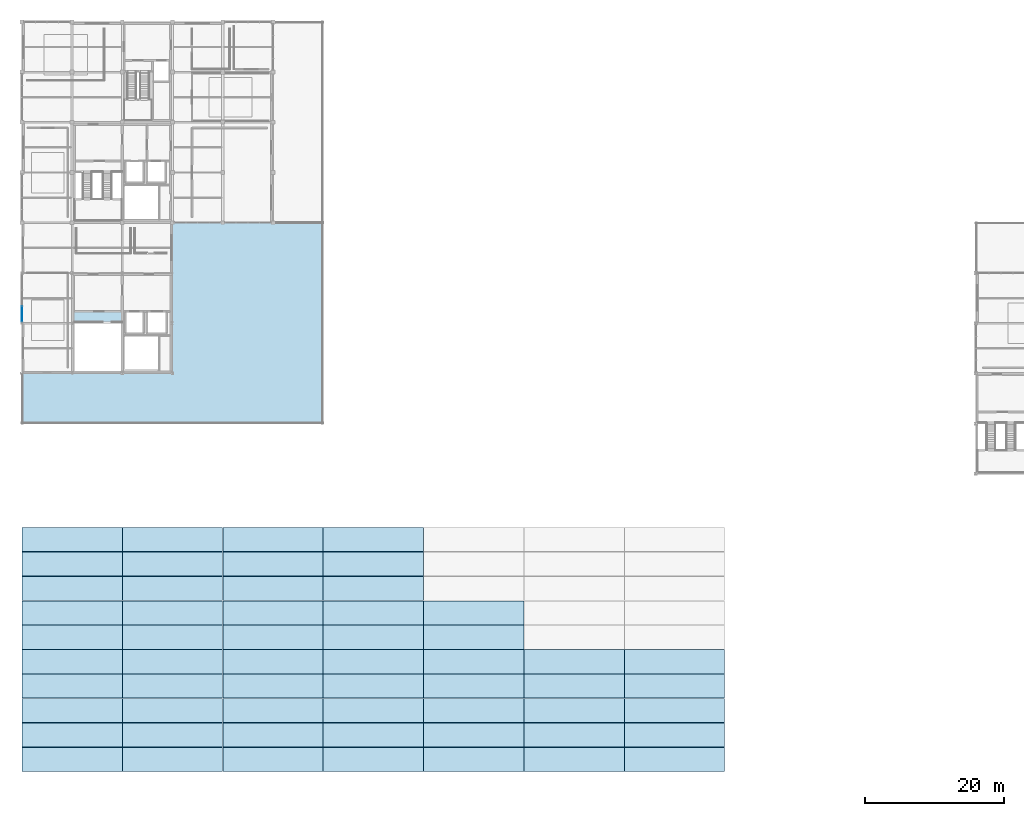
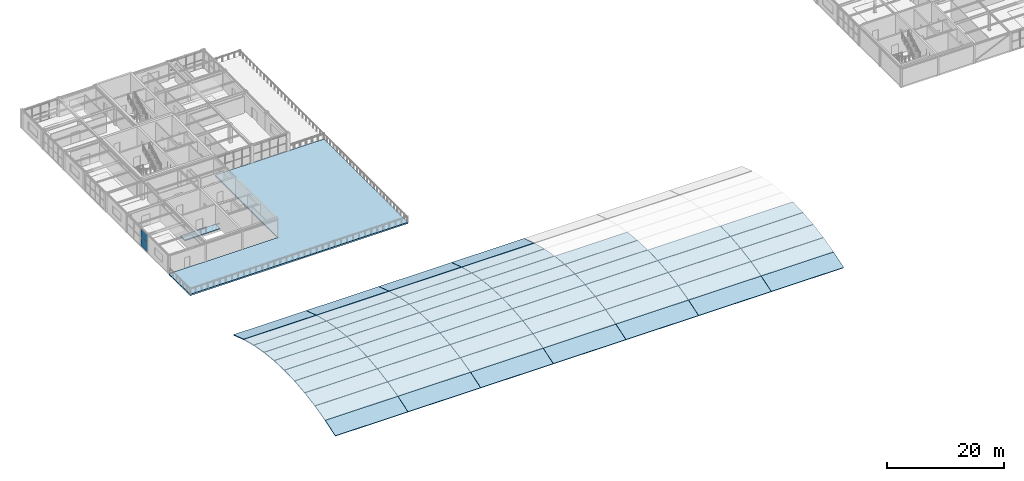
# One storey, part 14 of 30: 59 slabs, 2 plates, 1 element without a shape of its own.
"""IFC4 building model written with IfcOpenShell, lengths in metres."""

import ifcopenshell
import ifcopenshell.guid

model = None  # the IFC model being written
_history = None  # IfcOwnerHistory: only IFC2X3 demands one
_inside = {}  # id of a spatial element -> (the spatial element, [elements in it])
_under = {}  # id of a project, library or spatial element -> (it, [spatial elements below it])
_declared = {}  # id of a project -> (the project, [libraries it declares])
_typed = {}  # id of a type object -> (the type object, [elements of that type])
_made_of = {}  # id of a material, layer set ... -> (it, [elements and type objects made of it])


def new_model(schema):
    """Start an empty IFC model of exactly this schema.

    Asked for "IFC4X3", IfcOpenShell would pick the latest addendum, in which some entities
    have other attributes; the version numbers below select the first issue.
    IFC2X3 requires an IfcOwnerHistory on every rooted entity: one is made here for all.
    """
    global model, _history
    if schema == "IFC4X3":
        model = ifcopenshell.file(schema_version=(4, 3, 0, 0))
    else:
        model = ifcopenshell.file(schema=schema)
    _inside.clear()
    _under.clear()
    _declared.clear()
    _typed.clear()
    _made_of.clear()
    _history = None
    if model.schema == "IFC2X3":
        org = make("IfcOrganization", Name="unknown")
        user = make(
            "IfcPersonAndOrganization",
            ThePerson=make("IfcPerson", FamilyName="unknown"),
            TheOrganization=org,
        )
        app = make(
            "IfcApplication",
            ApplicationDeveloper=org,
            Version="unknown",
            ApplicationFullName="unknown",
            ApplicationIdentifier="unknown",
        )
        _history = make(
            "IfcOwnerHistory",
            OwningUser=user,
            OwningApplication=app,
            ChangeAction="ADDED",
            CreationDate=0,
        )
    return model


def make(cls, **values):
    """One entity of the class cls with the attributes given. An attribute that is None is left unset."""
    return model.create_entity(
        cls, **{name: value for name, value in values.items() if value is not None}
    )


def rooted(cls, **values):
    """An entity with a GlobalId (a new one), such as an element, a storey or a relation."""
    return make(cls, GlobalId=ifcopenshell.guid.new(), OwnerHistory=_history, **values)


def si_unit(unit_type, name, prefix=None):
    """IfcSIUnit, for example si_unit("LENGTHUNIT", "METRE", prefix="MILLI")."""
    return make("IfcSIUnit", UnitType=unit_type, Prefix=prefix, Name=name)


def assignment(units):
    """IfcUnitAssignment: the units of a project."""
    return None if units is None else make("IfcUnitAssignment", Units=units)


def point(xyz):
    """IfcCartesianPoint."""
    return None if xyz is None else make("IfcCartesianPoint", Coordinates=xyz)


def direction(xyz):
    """IfcDirection."""
    return None if xyz is None else make("IfcDirection", DirectionRatios=xyz)


def frame(location, z_axis=None, x_axis=None):
    """IfcAxis2Placement3D, a coordinate frame: its origin and axes. An axis left out is left unset."""
    return make(
        "IfcAxis2Placement3D",
        Location=point(location),
        Axis=direction(z_axis),
        RefDirection=direction(x_axis),
    )


def frame_2d(location, x_axis=None):
    """IfcAxis2Placement2D, a coordinate frame in the plane: its origin and x axis."""
    return make(
        "IfcAxis2Placement2D", Location=point(location), RefDirection=direction(x_axis)
    )


def origin():
    """The frame at (0, 0, 0) with its axes left unset."""
    return frame((0.0, 0.0, 0.0))


def origin_2d():
    """The frame at (0, 0) in the plane with its x axis left unset."""
    return frame_2d((0.0, 0.0))


def place(relative_to, where):
    """IfcLocalPlacement: puts the frame where relative to a parent placement (None: the world)."""
    return make(
        "IfcLocalPlacement", PlacementRelTo=relative_to, RelativePlacement=where
    )


def context(
    kind, dimensions, precision=None, world=None, true_north=None, identifier=None
):
    """IfcGeometricRepresentationContext, for example the 3D "Model" context."""
    return make(
        "IfcGeometricRepresentationContext",
        ContextIdentifier=identifier,
        ContextType=kind,
        CoordinateSpaceDimension=dimensions,
        Precision=precision,
        WorldCoordinateSystem=world,
        TrueNorth=true_north,
    )


def subcontext(parent, identifier, kind, view, scale=None):
    """IfcGeometricRepresentationSubContext, for example "Body" below "Model"."""
    return make(
        "IfcGeometricRepresentationSubContext",
        ContextIdentifier=identifier,
        ContextType=kind,
        ParentContext=parent,
        TargetScale=scale,
        TargetView=view,
    )


def project(units=None, contexts=None):
    """IfcProject with its units and contexts."""
    return rooted(
        "IfcProject",
        Name="project",
        RepresentationContexts=contexts,
        UnitsInContext=assignment(units),
    )


def spatial(cls, under=None, at=None, **own):
    """A site, building, storey or space (cls), placed at a placement, below another one or the project."""
    s = rooted(cls, ObjectPlacement=at, **own)
    if under is not None:
        _under.setdefault(under.id(), (under, []))[1].append(s)
    return s


def polyline(points):
    """IfcPolyline through the points."""
    return make("IfcPolyline", Points=[point(p) for p in points])


def profile(cls, at=None, kind="AREA", **sizes):
    """A parametric profile (cls). Its sizes go by their IFC names, for example OverallWidth=200.0."""
    return make(cls, ProfileType=kind, Position=at, **sizes)


def rectangle(**sizes):
    """IfcRectangleProfileDef."""
    return profile("IfcRectangleProfileDef", **sizes)


def outline(outer, holes=None, kind="AREA"):
    """IfcArbitraryClosedProfileDef: a profile drawn as a closed curve; with holes, ...WithVoids."""
    if holes is None:
        return make("IfcArbitraryClosedProfileDef", ProfileType=kind, OuterCurve=outer)
    return make(
        "IfcArbitraryProfileDefWithVoids",
        ProfileType=kind,
        OuterCurve=outer,
        InnerCurves=holes,
    )


def extrude(swept, where, along, depth):
    """IfcExtrudedAreaSolid: the profile swept, set in the frame where, extruded along a direction by depth."""
    return make(
        "IfcExtrudedAreaSolid",
        SweptArea=swept,
        Position=where,
        ExtrudedDirection=direction(along),
        Depth=depth,
    )


def shape(context_of_items, identifier, shape_type, items):
    """IfcShapeRepresentation: the items that make up one representation, for example the "Body"."""
    return make(
        "IfcShapeRepresentation",
        ContextOfItems=context_of_items,
        RepresentationIdentifier=identifier,
        RepresentationType=shape_type,
        Items=items,
    )


def material(Name=None, Category=None):
    """IfcMaterial."""
    return make("IfcMaterial", Name=Name, Category=Category)


def layer(
    of_material, thickness, ventilated=None, Name=None, Category=None, Priority=None
):
    """IfcMaterialLayer: one layer of a wall or slab, of a material (None: an air gap)."""
    return make(
        "IfcMaterialLayer",
        Material=of_material,
        LayerThickness=thickness,
        IsVentilated=ventilated,
        Name=Name,
        Category=Category,
        Priority=Priority,
    )


def layer_set(layers, Name=None):
    """IfcMaterialLayerSet."""
    return make("IfcMaterialLayerSet", MaterialLayers=layers, LayerSetName=Name)


def made_of(thing, what):
    """Note that an element or type object is made of a material, layer set ...; save() writes the relation."""
    if what is not None:
        _made_of.setdefault(what.id(), (what, []))[1].append(thing)
    return thing


def type_object(cls, material=None, **own):
    """A type object (cls), such as IfcWallType, which elements share."""
    return made_of(rooted(cls, **own), material)


def element(
    cls,
    number,
    at=None,
    inside=None,
    cuts=None,
    type_object=None,
    material=None,
    context=None,
    identifier="Body",
    shape_type=None,
    held_by="IfcProductDefinitionShape",
    body=None,
    shapes=None,
    **own,
):
    """One element of the class cls, such as IfcWall. Its Tag is "e" and its number.

    at: its placement. inside: the storey or other place that contains it. cuts: it is an
    opening in that element (IfcRelVoidsElement). A single representation is given by context,
    identifier, shape_type and body (its items); several are given by shapes. held_by: the class
    of the entity that holds the representations. save() writes the other relations.
    """
    e = rooted(cls, Tag="e%d" % number, ObjectPlacement=at, **own)
    if body is not None:
        shapes = [shape(context, identifier, shape_type, body)]
    if shapes is not None:
        e.Representation = make(held_by, Representations=shapes)
    if inside is not None:
        _inside.setdefault(inside.id(), (inside, []))[1].append(e)
    if cuts is not None:
        rooted(
            "IfcRelVoidsElement", RelatingBuildingElement=cuts, RelatedOpeningElement=e
        )
    if type_object is not None:
        _typed.setdefault(type_object.id(), (type_object, []))[1].append(e)
    return made_of(e, material)


def aggregate(whole, parts):
    """IfcRelAggregates: a whole, such as a stair, and the parts it consists of."""
    return rooted("IfcRelAggregates", RelatingObject=whole, RelatedObjects=parts)


def save(model, path):
    """Write the relations noted so far, then the file.

    IfcRelAggregates (storeys below a building ...), IfcRelContainedInSpatialStructure (elements
    in a storey), IfcRelDefinesByType, IfcRelAssociatesMaterial and IfcRelDeclares: one each for
    every whole, place, type object, material and project.
    """
    for whole, parts in _under.values():
        aggregate(whole, parts)
    for where, things in _inside.values():
        rooted(
            "IfcRelContainedInSpatialStructure",
            RelatedElements=things,
            RelatingStructure=where,
        )
    for kind, things in _typed.values():
        rooted("IfcRelDefinesByType", RelatedObjects=things, RelatingType=kind)
    for what, things in _made_of.values():
        rooted("IfcRelAssociatesMaterial", RelatedObjects=things, RelatingMaterial=what)
    for by, libraries in _declared.values():
        rooted("IfcRelDeclares", RelatingContext=by, RelatedDefinitions=libraries)
    model.write(path)


model = new_model("IFC4")

# Units and contexts
model_context = context("Model", 3, precision=1e-05, world=origin(), true_north=direction((0.0, 1.0)))
body_context = subcontext(model_context, "Body", "Model", "MODEL_VIEW")
ifc_project = project(units=[si_unit("LENGTHUNIT", "METRE"), si_unit("AREAUNIT", "SQUARE_METRE"), si_unit("VOLUMEUNIT", "CUBIC_METRE"), si_unit("PLANEANGLEUNIT", "RADIAN"), si_unit("MASSUNIT", "GRAM", prefix="KILO")], contexts=[model_context])

# Site, building, storey
site_placement = place(None, origin())
site = spatial("IfcSite", under=ifc_project, at=site_placement, CompositionType="ELEMENT")
building_placement = place(site_placement, origin())
building = spatial("IfcBuilding", under=site, at=building_placement, Name="Leyfeld Transit Interchange", CompositionType="ELEMENT")
storey_placement = place(building_placement, frame((0.0, 0.0, 13.800048828125)))
storey = spatial("IfcBuildingStorey", under=building, at=storey_placement, Name="L03", CompositionType="ELEMENT", Elevation=13.800048828125)

# Curtain wall, plates
ifc_material_1 = material(Name="Anodised aluminium EN AW-6060 T66", Category="aluminium")
curtain_wall_type = type_object("IfcCurtainWallType", Name="CW-SYS-CYC-7200", PredefinedType="NOTDEFINED", material=ifc_material_1)
curtain_wall_placement = place(storey_placement, origin())
curtain_wall = element("IfcCurtainWall", 1, at=curtain_wall_placement, inside=storey, type_object=curtain_wall_type, Name="Curtain Wall CW-L03-120", PredefinedType="NOTDEFINED")
ifc_material_2 = material(Name="Triple low-E insulated glazing", Category="glass")
ifc_layer_1 = layer(ifc_material_2, 0.0380859375, Name="Triple low-E insulated glazing")
ifc_layer_set_1 = layer_set([ifc_layer_1], Name="Triple low-E insulated glazing")
plate_type = type_object("IfcPlateType", Name="CW-PNL-GLZ-38", PredefinedType="CURTAIN_PANEL", material=ifc_layer_set_1)
plate_1_placement = place(storey_placement, frame((0.0, 80.50048828125, 0.0634765625), z_axis=(0.0, 0.0, 1.0), x_axis=(0.0, 1.0, 0.0)))
plate_1 = element("IfcPlate", 2, at=plate_1_placement, type_object=plate_type, Name="Glazed Curtain Panel CW-L03-120-P01_1", PredefinedType="CURTAIN_PANEL", context=body_context, shape_type="SweptSolid", body=[
    extrude(rectangle(XDim=2.2138671875, YDim=0.0380859375, at=origin_2d()), origin(), (0.0, 0.0, 1.0), 1.74560546875),
])
plate_2_placement = place(storey_placement, frame((0.0, 80.50048828125, 1.870849609375), z_axis=(0.0, 0.0, 1.0), x_axis=(0.0, 1.0, 0.0)))
plate_2 = element("IfcPlate", 3, at=plate_2_placement, type_object=plate_type, Name="Glazed Curtain Panel CW-L03-120-P01_2", PredefinedType="CURTAIN_PANEL", context=body_context, shape_type="SweptSolid", body=[
    extrude(rectangle(XDim=2.2138671875, YDim=0.0380859375, at=origin_2d()), origin(), (0.0, 0.0, 1.0), 1.74560546875),
])
aggregate(curtain_wall, [plate_1, plate_2])

# Slabs
ifc_material_3 = material(Name="Precast concrete C40/50", Category="concrete")
ifc_layer_2 = layer(ifc_material_3, 0.199951171875, Name="Precast concrete C40/50")
ifc_layer_set_2 = layer_set([ifc_layer_2], Name="Precast concrete C40/50")
slab_type_1 = type_object("IfcSlabType", Name="SLB-LND-200", PredefinedType="LANDING", material=ifc_layer_set_2)
slab_1_placement = place(storey_placement, frame((0.0, 0.0, -0.199951171875)))
element("IfcSlab", 4, at=slab_1_placement, inside=storey, type_object=slab_type_1, Name="Core K3 Stair Floor Landing L03", PredefinedType="LANDING", context=body_context, shape_type="SweptSolid", body=[
    extrude(outline(polyline([(7.3798828125, 79.300048828125), (14.39501953125, 79.300048828125), (14.39501953125, 80.844970703125), (7.3798828125, 80.844970703125), (7.3798828125, 79.300048828125)])), origin(), (0.0, 0.0, 1.0), 0.199951171875),
])
ifc_material_4 = material(Name="Concrete C35/45", Category="concrete")
ifc_layer_3 = layer(ifc_material_4, 0.300048828125, Name="Concrete C35/45")
ifc_layer_set_3 = layer_set([ifc_layer_3], Name="Concrete C35/45")
slab_type_2 = type_object("IfcSlabType", Name="SLB-TERR-300", PredefinedType="FLOOR", material=ifc_layer_set_3)
slab_2_placement = place(storey_placement, frame((0.0, 0.0, -0.300048828125)))
element("IfcSlab", 5, at=slab_2_placement, inside=storey, type_object=slab_type_2, Name="Outdoor Roof Terrace V3_GARDEN L03", PredefinedType="FLOOR", context=body_context, shape_type="SweptSolid", body=[
    extrude(outline(polyline([(43.199951171875, 93.574951171875), (21.60009765625, 93.574951171875), (21.60009765625, 72.0), (0.0, 72.0), (0.0, 64.800048828125), (43.199951171875, 64.800048828125), (43.199951171875, 93.574951171875)])), origin(), (0.0, 0.0, 1.0), 0.300048828125),
])
ifc_material_5 = material(Name="Concrete C40/50", Category="concrete")
ifc_layer_4 = layer(ifc_material_5, 0.159912109375, Name="Concrete C40/50")
ifc_layer_set_4 = layer_set([ifc_layer_4], Name="Concrete C40/50")
slab_type_3 = type_object("IfcSlabType", Name="SLB-VAULT-160", PredefinedType="ROOF", material=ifc_layer_set_4)
slab_3_placement = place(storey_placement, frame((0.010009765625, 14.919921875, 0.620361328125), z_axis=(0.0, -0.31520302111, 0.94902426496), x_axis=(1.0, 0.0, 0.0)))
element("IfcSlab", 6, at=slab_3_placement, inside=storey, type_object=slab_type_3, Name="Concourse Barrel Vault Shell B1 F4", PredefinedType="ROOF", context=body_context, shape_type="SweptSolid", body=[
    extrude(outline(polyline([(0.0, 0.0), (14.3798828125, 0.0), (14.3798828125, 3.645808716645468), (0.0, 3.645808716645468), (0.0, 0.0)])), origin(), (0.0, 0.0, -1.0), 0.159912109375),
])
slab_4_placement = place(storey_placement, frame((0.010009765625, 18.419921875, 1.78125), z_axis=(0.0, -0.245110175733, 0.969495230392), x_axis=(1.0, 0.0, 0.0)))
element("IfcSlab", 7, at=slab_4_placement, inside=storey, type_object=slab_type_3, Name="Concourse Barrel Vault Shell B1 F5", PredefinedType="ROOF", context=body_context, shape_type="SweptSolid", body=[
    extrude(outline(polyline([(0.0, 0.0), (14.3798828125, 0.0), (14.3798828125, 3.568827188662513), (0.0, 3.568827188662513), (0.0, 0.0)])), origin(), (0.0, 0.0, -1.0), 0.159912109375),
])
slab_5_placement = place(storey_placement, frame((0.010009765625, 21.919921875, 2.66455078125), z_axis=(0.0, -0.175136592588, 0.984544145245), x_axis=(1.0, 0.0, 0.0)))
element("IfcSlab", 8, at=slab_5_placement, inside=storey, type_object=slab_type_3, Name="Concourse Barrel Vault Shell B1 F6", PredefinedType="ROOF", context=body_context, shape_type="SweptSolid", body=[
    extrude(outline(polyline([(0.0, 0.0), (14.3798828125, 0.0), (14.3798828125, 3.514277093830512), (0.0, 3.514277093830512), (0.0, 0.0)])), origin(), (0.0, 0.0, -1.0), 0.159912109375),
])
slab_6_placement = place(storey_placement, frame((0.010009765625, 25.419921875, 3.28564453125), z_axis=(0.0, -0.105115796167, 0.994459988836), x_axis=(1.0, 0.0, 0.0)))
element("IfcSlab", 9, at=slab_6_placement, inside=storey, type_object=slab_type_3, Name="Concourse Barrel Vault Shell B1 F7", PredefinedType="ROOF", context=body_context, shape_type="SweptSolid", body=[
    extrude(outline(polyline([(0.0, 0.0), (14.3798828125, 0.0), (14.3798828125, 3.479235943468111), (0.0, 3.479235943468111), (0.0, 0.0)])), origin(), (0.0, 0.0, -1.0), 0.159912109375),
])
for number, where, z_axis, x_axis, name in (
    (10, (0.010009765625, 28.919921875, 3.654052734375), (0.0, -0.035047605493, 0.999385643958), (1.0, 0.0, 0.0), "Concourse Barrel Vault Shell B1 F8"),
    (11, (0.010009765625, 32.419921875, 3.775390625), (0.0, 0.035047605493, 0.999385643958), (1.0, 0.0, 0.0), "Concourse Barrel Vault Shell B1 F9"),
):
    element("IfcSlab", number, at=place(storey_placement, frame(where, z_axis=z_axis, x_axis=x_axis)), inside=storey, type_object=slab_type_3, Name=name, PredefinedType="ROOF", context=body_context, shape_type="SweptSolid", body=[
        extrude(outline(polyline([(0.0, 0.0), (14.3798828125, 0.0), (14.3798828125, 3.4620878921147), (0.0, 3.4620878921147), (0.0, 0.0)])), origin(), (0.0, 0.0, -1.0), 0.159912109375),
    ])
slab_7_placement = place(storey_placement, frame((0.010009765625, 35.919921875, 3.6513671875), z_axis=(0.0, 0.105115796167, 0.994459988836), x_axis=(1.0, 0.0, 0.0)))
element("IfcSlab", 12, at=slab_7_placement, inside=storey, type_object=slab_type_3, Name="Concourse Barrel Vault Shell B1 F10", PredefinedType="ROOF", context=body_context, shape_type="SweptSolid", body=[
    extrude(outline(polyline([(0.0, 0.0), (14.3798828125, 0.0), (14.3798828125, 3.479235943468111), (0.0, 3.479235943468111), (0.0, 0.0)])), origin(), (0.0, 0.0, -1.0), 0.159912109375),
])
slab_8_placement = place(storey_placement, frame((0.010009765625, 39.419921875, 3.280029296875), z_axis=(0.0, 0.175136592588, 0.984544145245), x_axis=(1.0, 0.0, 0.0)))
element("IfcSlab", 13, at=slab_8_placement, inside=storey, type_object=slab_type_3, Name="Concourse Barrel Vault Shell B1 F11", PredefinedType="ROOF", context=body_context, shape_type="SweptSolid", body=[
    extrude(outline(polyline([(0.0, 0.0), (14.3798828125, 0.0), (14.3798828125, 3.514277093830512), (0.0, 3.514277093830512), (0.0, 0.0)])), origin(), (0.0, 0.0, -1.0), 0.159912109375),
])
slab_9_placement = place(storey_placement, frame((0.010009765625, 42.919921875, 2.656005859375), z_axis=(0.0, 0.245110175733, 0.969495230392), x_axis=(1.0, 0.0, 0.0)))
element("IfcSlab", 14, at=slab_9_placement, inside=storey, type_object=slab_type_3, Name="Concourse Barrel Vault Shell B1 F12", PredefinedType="ROOF", context=body_context, shape_type="SweptSolid", body=[
    extrude(outline(polyline([(0.0, 0.0), (14.3798828125, 0.0), (14.3798828125, 3.568827188662513), (0.0, 3.568827188662513), (0.0, 0.0)])), origin(), (0.0, 0.0, -1.0), 0.159912109375),
])
slab_10_placement = place(storey_placement, frame((0.010009765625, 46.419921875, 1.76953125), z_axis=(0.0, 0.31520302111, 0.94902426496), x_axis=(1.0, 0.0, 0.0)))
element("IfcSlab", 15, at=slab_10_placement, inside=storey, type_object=slab_type_3, Name="Concourse Barrel Vault Shell B1 F13", PredefinedType="ROOF", context=body_context, shape_type="SweptSolid", body=[
    extrude(outline(polyline([(0.0, 0.0), (14.3798828125, 0.0), (14.3798828125, 3.645808716645468), (0.0, 3.645808716645468), (0.0, 0.0)])), origin(), (0.0, 0.0, -1.0), 0.159912109375),
])
slab_11_placement = place(storey_placement, frame((14.409912109375, 14.919921875, 0.620361328125), z_axis=(0.0, -0.31520302111, 0.94902426496), x_axis=(1.0, 0.0, 0.0)))
element("IfcSlab", 16, at=slab_11_placement, inside=storey, type_object=slab_type_3, Name="Concourse Barrel Vault Shell B2 F4", PredefinedType="ROOF", context=body_context, shape_type="SweptSolid", body=[
    extrude(outline(polyline([(0.0, 0.0), (14.380126953125, 0.0), (14.380126953125, 3.645808716645468), (0.0, 3.645808716645468), (0.0, 0.0)])), origin(), (0.0, 0.0, -1.0), 0.159912109375),
])
slab_12_placement = place(storey_placement, frame((14.409912109375, 18.419921875, 1.78125), z_axis=(0.0, -0.245110175733, 0.969495230392), x_axis=(1.0, 0.0, 0.0)))
element("IfcSlab", 17, at=slab_12_placement, inside=storey, type_object=slab_type_3, Name="Concourse Barrel Vault Shell B2 F5", PredefinedType="ROOF", context=body_context, shape_type="SweptSolid", body=[
    extrude(outline(polyline([(0.0, 0.0), (14.380126953125, 0.0), (14.380126953125, 3.568827188662513), (0.0, 3.568827188662513), (0.0, 0.0)])), origin(), (0.0, 0.0, -1.0), 0.159912109375),
])
slab_13_placement = place(storey_placement, frame((14.409912109375, 21.919921875, 2.66455078125), z_axis=(0.0, -0.175136592588, 0.984544145245), x_axis=(1.0, 0.0, 0.0)))
element("IfcSlab", 18, at=slab_13_placement, inside=storey, type_object=slab_type_3, Name="Concourse Barrel Vault Shell B2 F6", PredefinedType="ROOF", context=body_context, shape_type="SweptSolid", body=[
    extrude(outline(polyline([(0.0, 0.0), (14.380126953125, 0.0), (14.380126953125, 3.5142770938305126), (0.0, 3.5142770938305126), (0.0, 0.0)])), origin(), (0.0, 0.0, -1.0), 0.159912109375),
])
slab_14_placement = place(storey_placement, frame((14.409912109375, 25.419921875, 3.28564453125), z_axis=(0.0, -0.105115796167, 0.994459988836), x_axis=(1.0, 0.0, 0.0)))
element("IfcSlab", 19, at=slab_14_placement, inside=storey, type_object=slab_type_3, Name="Concourse Barrel Vault Shell B2 F7", PredefinedType="ROOF", context=body_context, shape_type="SweptSolid", body=[
    extrude(outline(polyline([(0.0, 0.0), (14.380126953125, 0.0), (14.380126953125, 3.479235943468111), (0.0, 3.479235943468111), (0.0, 0.0)])), origin(), (0.0, 0.0, -1.0), 0.159912109375),
])
for number, where, z_axis, x_axis, name in (
    (20, (14.409912109375, 28.919921875, 3.654052734375), (0.0, -0.035047605493, 0.999385643958), (1.0, 0.0, 0.0), "Concourse Barrel Vault Shell B2 F8"),
    (21, (14.409912109375, 32.419921875, 3.775390625), (0.0, 0.035047605493, 0.999385643958), (1.0, 0.0, 0.0), "Concourse Barrel Vault Shell B2 F9"),
):
    element("IfcSlab", number, at=place(storey_placement, frame(where, z_axis=z_axis, x_axis=x_axis)), inside=storey, type_object=slab_type_3, Name=name, PredefinedType="ROOF", context=body_context, shape_type="SweptSolid", body=[
        extrude(outline(polyline([(0.0, 0.0), (14.380126953125, 0.0), (14.380126953125, 3.4620878921147), (0.0, 3.4620878921147), (0.0, 0.0)])), origin(), (0.0, 0.0, -1.0), 0.159912109375),
    ])
slab_15_placement = place(storey_placement, frame((14.409912109375, 35.919921875, 3.6513671875), z_axis=(0.0, 0.105115796167, 0.994459988836), x_axis=(1.0, 0.0, 0.0)))
element("IfcSlab", 22, at=slab_15_placement, inside=storey, type_object=slab_type_3, Name="Concourse Barrel Vault Shell B2 F10", PredefinedType="ROOF", context=body_context, shape_type="SweptSolid", body=[
    extrude(outline(polyline([(0.0, 0.0), (14.380126953125, 0.0), (14.380126953125, 3.479235943468111), (0.0, 3.479235943468111), (0.0, 0.0)])), origin(), (0.0, 0.0, -1.0), 0.159912109375),
])
slab_16_placement = place(storey_placement, frame((14.409912109375, 39.419921875, 3.280029296875), z_axis=(0.0, 0.175136592588, 0.984544145245), x_axis=(1.0, 0.0, 0.0)))
element("IfcSlab", 23, at=slab_16_placement, inside=storey, type_object=slab_type_3, Name="Concourse Barrel Vault Shell B2 F11", PredefinedType="ROOF", context=body_context, shape_type="SweptSolid", body=[
    extrude(outline(polyline([(0.0, 0.0), (14.380126953125, 0.0), (14.380126953125, 3.5142770938305126), (0.0, 3.5142770938305126), (0.0, 0.0)])), origin(), (0.0, 0.0, -1.0), 0.159912109375),
])
slab_17_placement = place(storey_placement, frame((14.409912109375, 42.919921875, 2.656005859375), z_axis=(0.0, 0.245110175733, 0.969495230392), x_axis=(1.0, 0.0, 0.0)))
element("IfcSlab", 24, at=slab_17_placement, inside=storey, type_object=slab_type_3, Name="Concourse Barrel Vault Shell B2 F12", PredefinedType="ROOF", context=body_context, shape_type="SweptSolid", body=[
    extrude(outline(polyline([(0.0, 0.0), (14.380126953125, 0.0), (14.380126953125, 3.568827188662513), (0.0, 3.568827188662513), (0.0, 0.0)])), origin(), (0.0, 0.0, -1.0), 0.159912109375),
])
slab_18_placement = place(storey_placement, frame((14.409912109375, 46.419921875, 1.76953125), z_axis=(0.0, 0.31520302111, 0.94902426496), x_axis=(1.0, 0.0, 0.0)))
element("IfcSlab", 25, at=slab_18_placement, inside=storey, type_object=slab_type_3, Name="Concourse Barrel Vault Shell B2 F13", PredefinedType="ROOF", context=body_context, shape_type="SweptSolid", body=[
    extrude(outline(polyline([(0.0, 0.0), (14.380126953125, 0.0), (14.380126953125, 3.645808716645468), (0.0, 3.645808716645468), (0.0, 0.0)])), origin(), (0.0, 0.0, -1.0), 0.159912109375),
])
slab_19_placement = place(storey_placement, frame((28.81005859375, 14.919921875, 0.620361328125), z_axis=(0.0, -0.31520302111, 0.94902426496), x_axis=(1.0, 0.0, 0.0)))
element("IfcSlab", 26, at=slab_19_placement, inside=storey, type_object=slab_type_3, Name="Concourse Barrel Vault Shell B3 F4", PredefinedType="ROOF", context=body_context, shape_type="SweptSolid", body=[
    extrude(outline(polyline([(0.0, 0.0), (14.3798828125, 0.0), (14.3798828125, 3.645808716645468), (0.0, 3.645808716645468), (0.0, 0.0)])), origin(), (0.0, 0.0, -1.0), 0.159912109375),
])
slab_20_placement = place(storey_placement, frame((28.81005859375, 18.419921875, 1.78125), z_axis=(0.0, -0.245110175733, 0.969495230392), x_axis=(1.0, 0.0, 0.0)))
element("IfcSlab", 27, at=slab_20_placement, inside=storey, type_object=slab_type_3, Name="Concourse Barrel Vault Shell B3 F5", PredefinedType="ROOF", context=body_context, shape_type="SweptSolid", body=[
    extrude(outline(polyline([(0.0, 0.0), (14.3798828125, 0.0), (14.3798828125, 3.568827188662513), (0.0, 3.568827188662513), (0.0, 0.0)])), origin(), (0.0, 0.0, -1.0), 0.159912109375),
])
slab_21_placement = place(storey_placement, frame((28.81005859375, 21.919921875, 2.66455078125), z_axis=(0.0, -0.175136592588, 0.984544145245), x_axis=(1.0, 0.0, 0.0)))
element("IfcSlab", 28, at=slab_21_placement, inside=storey, type_object=slab_type_3, Name="Concourse Barrel Vault Shell B3 F6", PredefinedType="ROOF", context=body_context, shape_type="SweptSolid", body=[
    extrude(outline(polyline([(0.0, 0.0), (14.3798828125, 0.0), (14.3798828125, 3.514277093830512), (0.0, 3.514277093830512), (0.0, 0.0)])), origin(), (0.0, 0.0, -1.0), 0.159912109375),
])
slab_22_placement = place(storey_placement, frame((28.81005859375, 25.419921875, 3.28564453125), z_axis=(0.0, -0.105115796167, 0.994459988836), x_axis=(1.0, 0.0, 0.0)))
element("IfcSlab", 29, at=slab_22_placement, inside=storey, type_object=slab_type_3, Name="Concourse Barrel Vault Shell B3 F7", PredefinedType="ROOF", context=body_context, shape_type="SweptSolid", body=[
    extrude(outline(polyline([(0.0, 0.0), (14.3798828125, 0.0), (14.3798828125, 3.479235943468111), (0.0, 3.479235943468111), (0.0, 0.0)])), origin(), (0.0, 0.0, -1.0), 0.159912109375),
])
for number, where, z_axis, x_axis, name in (
    (30, (28.81005859375, 28.919921875, 3.654052734375), (0.0, -0.035047605493, 0.999385643958), (1.0, 0.0, 0.0), "Concourse Barrel Vault Shell B3 F8"),
    (31, (28.81005859375, 32.419921875, 3.775390625), (0.0, 0.035047605493, 0.999385643958), (1.0, 0.0, 0.0), "Concourse Barrel Vault Shell B3 F9"),
):
    element("IfcSlab", number, at=place(storey_placement, frame(where, z_axis=z_axis, x_axis=x_axis)), inside=storey, type_object=slab_type_3, Name=name, PredefinedType="ROOF", context=body_context, shape_type="SweptSolid", body=[
        extrude(outline(polyline([(0.0, 0.0), (14.3798828125, 0.0), (14.3798828125, 3.4620878921147), (0.0, 3.4620878921147), (0.0, 0.0)])), origin(), (0.0, 0.0, -1.0), 0.159912109375),
    ])
slab_23_placement = place(storey_placement, frame((28.81005859375, 35.919921875, 3.6513671875), z_axis=(0.0, 0.105115796167, 0.994459988836), x_axis=(1.0, 0.0, 0.0)))
element("IfcSlab", 32, at=slab_23_placement, inside=storey, type_object=slab_type_3, Name="Concourse Barrel Vault Shell B3 F10", PredefinedType="ROOF", context=body_context, shape_type="SweptSolid", body=[
    extrude(outline(polyline([(0.0, 0.0), (14.3798828125, 0.0), (14.3798828125, 3.479235943468111), (0.0, 3.479235943468111), (0.0, 0.0)])), origin(), (0.0, 0.0, -1.0), 0.159912109375),
])
slab_24_placement = place(storey_placement, frame((28.81005859375, 39.419921875, 3.280029296875), z_axis=(0.0, 0.175136592588, 0.984544145245), x_axis=(1.0, 0.0, 0.0)))
element("IfcSlab", 33, at=slab_24_placement, inside=storey, type_object=slab_type_3, Name="Concourse Barrel Vault Shell B3 F11", PredefinedType="ROOF", context=body_context, shape_type="SweptSolid", body=[
    extrude(outline(polyline([(0.0, 0.0), (14.3798828125, 0.0), (14.3798828125, 3.514277093830512), (0.0, 3.514277093830512), (0.0, 0.0)])), origin(), (0.0, 0.0, -1.0), 0.159912109375),
])
slab_25_placement = place(storey_placement, frame((28.81005859375, 42.919921875, 2.656005859375), z_axis=(0.0, 0.245110175733, 0.969495230392), x_axis=(1.0, 0.0, 0.0)))
element("IfcSlab", 34, at=slab_25_placement, inside=storey, type_object=slab_type_3, Name="Concourse Barrel Vault Shell B3 F12", PredefinedType="ROOF", context=body_context, shape_type="SweptSolid", body=[
    extrude(outline(polyline([(0.0, 0.0), (14.3798828125, 0.0), (14.3798828125, 3.568827188662513), (0.0, 3.568827188662513), (0.0, 0.0)])), origin(), (0.0, 0.0, -1.0), 0.159912109375),
])
slab_26_placement = place(storey_placement, frame((28.81005859375, 46.419921875, 1.76953125), z_axis=(0.0, 0.31520302111, 0.94902426496), x_axis=(1.0, 0.0, 0.0)))
element("IfcSlab", 35, at=slab_26_placement, inside=storey, type_object=slab_type_3, Name="Concourse Barrel Vault Shell B3 F13", PredefinedType="ROOF", context=body_context, shape_type="SweptSolid", body=[
    extrude(outline(polyline([(0.0, 0.0), (14.3798828125, 0.0), (14.3798828125, 3.645808716645468), (0.0, 3.645808716645468), (0.0, 0.0)])), origin(), (0.0, 0.0, -1.0), 0.159912109375),
])
slab_27_placement = place(storey_placement, frame((43.2099609375, 14.919921875, 0.620361328125), z_axis=(0.0, -0.31520302111, 0.94902426496), x_axis=(1.0, 0.0, 0.0)))
element("IfcSlab", 36, at=slab_27_placement, inside=storey, type_object=slab_type_3, Name="Concourse Barrel Vault Shell B4 F4", PredefinedType="ROOF", context=body_context, shape_type="SweptSolid", body=[
    extrude(outline(polyline([(0.0, 0.0), (14.380126953125, 0.0), (14.380126953125, 3.645808716645468), (0.0, 3.645808716645468), (0.0, 0.0)])), origin(), (0.0, 0.0, -1.0), 0.159912109375),
])
slab_28_placement = place(storey_placement, frame((43.2099609375, 18.419921875, 1.78125), z_axis=(0.0, -0.245110175733, 0.969495230392), x_axis=(1.0, 0.0, 0.0)))
element("IfcSlab", 37, at=slab_28_placement, inside=storey, type_object=slab_type_3, Name="Concourse Barrel Vault Shell B4 F5", PredefinedType="ROOF", context=body_context, shape_type="SweptSolid", body=[
    extrude(outline(polyline([(0.0, 0.0), (14.380126953125, 0.0), (14.380126953125, 3.568827188662513), (0.0, 3.568827188662513), (0.0, 0.0)])), origin(), (0.0, 0.0, -1.0), 0.159912109375),
])
slab_29_placement = place(storey_placement, frame((43.2099609375, 21.919921875, 2.66455078125), z_axis=(0.0, -0.175136592588, 0.984544145245), x_axis=(1.0, 0.0, 0.0)))
element("IfcSlab", 38, at=slab_29_placement, inside=storey, type_object=slab_type_3, Name="Concourse Barrel Vault Shell B4 F6", PredefinedType="ROOF", context=body_context, shape_type="SweptSolid", body=[
    extrude(outline(polyline([(0.0, 0.0), (14.380126953125, 0.0), (14.380126953125, 3.5142770938305126), (0.0, 3.5142770938305126), (0.0, 0.0)])), origin(), (0.0, 0.0, -1.0), 0.159912109375),
])
slab_30_placement = place(storey_placement, frame((43.2099609375, 25.419921875, 3.28564453125), z_axis=(0.0, -0.105115796167, 0.994459988836), x_axis=(1.0, 0.0, 0.0)))
element("IfcSlab", 39, at=slab_30_placement, inside=storey, type_object=slab_type_3, Name="Concourse Barrel Vault Shell B4 F7", PredefinedType="ROOF", context=body_context, shape_type="SweptSolid", body=[
    extrude(outline(polyline([(0.0, 0.0), (14.380126953125, 0.0), (14.380126953125, 3.479235943468111), (0.0, 3.479235943468111), (0.0, 0.0)])), origin(), (0.0, 0.0, -1.0), 0.159912109375),
])
for number, where, z_axis, x_axis, name in (
    (40, (43.2099609375, 28.919921875, 3.654052734375), (0.0, -0.035047605493, 0.999385643958), (1.0, 0.0, 0.0), "Concourse Barrel Vault Shell B4 F8"),
    (41, (43.2099609375, 32.419921875, 3.775390625), (0.0, 0.035047605493, 0.999385643958), (1.0, 0.0, 0.0), "Concourse Barrel Vault Shell B4 F9"),
):
    element("IfcSlab", number, at=place(storey_placement, frame(where, z_axis=z_axis, x_axis=x_axis)), inside=storey, type_object=slab_type_3, Name=name, PredefinedType="ROOF", context=body_context, shape_type="SweptSolid", body=[
        extrude(outline(polyline([(0.0, 0.0), (14.380126953125, 0.0), (14.380126953125, 3.4620878921147), (0.0, 3.4620878921147), (0.0, 0.0)])), origin(), (0.0, 0.0, -1.0), 0.159912109375),
    ])
slab_31_placement = place(storey_placement, frame((43.2099609375, 35.919921875, 3.6513671875), z_axis=(0.0, 0.105115796167, 0.994459988836), x_axis=(1.0, 0.0, 0.0)))
element("IfcSlab", 42, at=slab_31_placement, inside=storey, type_object=slab_type_3, Name="Concourse Barrel Vault Shell B4 F10", PredefinedType="ROOF", context=body_context, shape_type="SweptSolid", body=[
    extrude(outline(polyline([(0.0, 0.0), (14.380126953125, 0.0), (14.380126953125, 3.479235943468111), (0.0, 3.479235943468111), (0.0, 0.0)])), origin(), (0.0, 0.0, -1.0), 0.159912109375),
])
slab_32_placement = place(storey_placement, frame((43.2099609375, 39.419921875, 3.280029296875), z_axis=(0.0, 0.175136592588, 0.984544145245), x_axis=(1.0, 0.0, 0.0)))
element("IfcSlab", 43, at=slab_32_placement, inside=storey, type_object=slab_type_3, Name="Concourse Barrel Vault Shell B4 F11", PredefinedType="ROOF", context=body_context, shape_type="SweptSolid", body=[
    extrude(outline(polyline([(0.0, 0.0), (14.380126953125, 0.0), (14.380126953125, 3.5142770938305126), (0.0, 3.5142770938305126), (0.0, 0.0)])), origin(), (0.0, 0.0, -1.0), 0.159912109375),
])
slab_33_placement = place(storey_placement, frame((43.2099609375, 42.919921875, 2.656005859375), z_axis=(0.0, 0.245110175733, 0.969495230392), x_axis=(1.0, 0.0, 0.0)))
element("IfcSlab", 44, at=slab_33_placement, inside=storey, type_object=slab_type_3, Name="Concourse Barrel Vault Shell B4 F12", PredefinedType="ROOF", context=body_context, shape_type="SweptSolid", body=[
    extrude(outline(polyline([(0.0, 0.0), (14.380126953125, 0.0), (14.380126953125, 3.568827188662513), (0.0, 3.568827188662513), (0.0, 0.0)])), origin(), (0.0, 0.0, -1.0), 0.159912109375),
])
slab_34_placement = place(storey_placement, frame((43.2099609375, 46.419921875, 1.76953125), z_axis=(0.0, 0.31520302111, 0.94902426496), x_axis=(1.0, 0.0, 0.0)))
element("IfcSlab", 45, at=slab_34_placement, inside=storey, type_object=slab_type_3, Name="Concourse Barrel Vault Shell B4 F13", PredefinedType="ROOF", context=body_context, shape_type="SweptSolid", body=[
    extrude(outline(polyline([(0.0, 0.0), (14.380126953125, 0.0), (14.380126953125, 3.645808716645468), (0.0, 3.645808716645468), (0.0, 0.0)])), origin(), (0.0, 0.0, -1.0), 0.159912109375),
])
slab_35_placement = place(storey_placement, frame((57.610107421875, 14.919921875, 0.620361328125), z_axis=(0.0, -0.31520302111, 0.94902426496), x_axis=(1.0, 0.0, 0.0)))
element("IfcSlab", 46, at=slab_35_placement, inside=storey, type_object=slab_type_3, Name="Concourse Barrel Vault Shell B5 F4", PredefinedType="ROOF", context=body_context, shape_type="SweptSolid", body=[
    extrude(outline(polyline([(0.0, 0.0), (14.3798828125, 0.0), (14.3798828125, 3.645808716645468), (0.0, 3.645808716645468), (0.0, 0.0)])), origin(), (0.0, 0.0, -1.0), 0.159912109375),
])
slab_36_placement = place(storey_placement, frame((57.610107421875, 18.419921875, 1.78125), z_axis=(0.0, -0.245110175733, 0.969495230392), x_axis=(1.0, 0.0, 0.0)))
element("IfcSlab", 47, at=slab_36_placement, inside=storey, type_object=slab_type_3, Name="Concourse Barrel Vault Shell B5 F5", PredefinedType="ROOF", context=body_context, shape_type="SweptSolid", body=[
    extrude(outline(polyline([(0.0, 0.0), (14.3798828125, 0.0), (14.3798828125, 3.568827188662513), (0.0, 3.568827188662513), (0.0, 0.0)])), origin(), (0.0, 0.0, -1.0), 0.159912109375),
])
slab_37_placement = place(storey_placement, frame((57.610107421875, 21.919921875, 2.66455078125), z_axis=(0.0, -0.175136592588, 0.984544145245), x_axis=(1.0, 0.0, 0.0)))
element("IfcSlab", 48, at=slab_37_placement, inside=storey, type_object=slab_type_3, Name="Concourse Barrel Vault Shell B5 F6", PredefinedType="ROOF", context=body_context, shape_type="SweptSolid", body=[
    extrude(outline(polyline([(0.0, 0.0), (14.3798828125, 0.0), (14.3798828125, 3.514277093830512), (0.0, 3.514277093830512), (0.0, 0.0)])), origin(), (0.0, 0.0, -1.0), 0.159912109375),
])
slab_38_placement = place(storey_placement, frame((57.610107421875, 25.419921875, 3.28564453125), z_axis=(0.0, -0.105115796167, 0.994459988836), x_axis=(1.0, 0.0, 0.0)))
element("IfcSlab", 49, at=slab_38_placement, inside=storey, type_object=slab_type_3, Name="Concourse Barrel Vault Shell B5 F7", PredefinedType="ROOF", context=body_context, shape_type="SweptSolid", body=[
    extrude(outline(polyline([(0.0, 0.0), (14.3798828125, 0.0), (14.3798828125, 3.479235943468111), (0.0, 3.479235943468111), (0.0, 0.0)])), origin(), (0.0, 0.0, -1.0), 0.159912109375),
])
for number, where, z_axis, x_axis, name in (
    (50, (57.610107421875, 28.919921875, 3.654052734375), (0.0, -0.035047605493, 0.999385643958), (1.0, 0.0, 0.0), "Concourse Barrel Vault Shell B5 F8"),
    (51, (57.610107421875, 32.419921875, 3.775390625), (0.0, 0.035047605493, 0.999385643958), (1.0, 0.0, 0.0), "Concourse Barrel Vault Shell B5 F9"),
):
    element("IfcSlab", number, at=place(storey_placement, frame(where, z_axis=z_axis, x_axis=x_axis)), inside=storey, type_object=slab_type_3, Name=name, PredefinedType="ROOF", context=body_context, shape_type="SweptSolid", body=[
        extrude(outline(polyline([(0.0, 0.0), (14.3798828125, 0.0), (14.3798828125, 3.4620878921147), (0.0, 3.4620878921147), (0.0, 0.0)])), origin(), (0.0, 0.0, -1.0), 0.159912109375),
    ])
slab_39_placement = place(storey_placement, frame((57.610107421875, 35.919921875, 3.6513671875), z_axis=(0.0, 0.105115796167, 0.994459988836), x_axis=(1.0, 0.0, 0.0)))
element("IfcSlab", 52, at=slab_39_placement, inside=storey, type_object=slab_type_3, Name="Concourse Barrel Vault Shell B5 F10", PredefinedType="ROOF", context=body_context, shape_type="SweptSolid", body=[
    extrude(outline(polyline([(0.0, 0.0), (14.3798828125, 0.0), (14.3798828125, 3.479235943468111), (0.0, 3.479235943468111), (0.0, 0.0)])), origin(), (0.0, 0.0, -1.0), 0.159912109375),
])
slab_40_placement = place(storey_placement, frame((72.010009765625, 14.919921875, 0.620361328125), z_axis=(0.0, -0.31520302111, 0.94902426496), x_axis=(1.0, 0.0, 0.0)))
element("IfcSlab", 53, at=slab_40_placement, inside=storey, type_object=slab_type_3, Name="Concourse Barrel Vault Shell B6 F4", PredefinedType="ROOF", context=body_context, shape_type="SweptSolid", body=[
    extrude(outline(polyline([(0.0, 0.0), (14.3798828125, 0.0), (14.3798828125, 3.645808716645468), (0.0, 3.645808716645468), (0.0, 0.0)])), origin(), (0.0, 0.0, -1.0), 0.159912109375),
])
slab_41_placement = place(storey_placement, frame((72.010009765625, 18.419921875, 1.78125), z_axis=(0.0, -0.245110175733, 0.969495230392), x_axis=(1.0, 0.0, 0.0)))
element("IfcSlab", 54, at=slab_41_placement, inside=storey, type_object=slab_type_3, Name="Concourse Barrel Vault Shell B6 F5", PredefinedType="ROOF", context=body_context, shape_type="SweptSolid", body=[
    extrude(outline(polyline([(0.0, 0.0), (14.3798828125, 0.0), (14.3798828125, 3.568827188662513), (0.0, 3.568827188662513), (0.0, 0.0)])), origin(), (0.0, 0.0, -1.0), 0.159912109375),
])
slab_42_placement = place(storey_placement, frame((72.010009765625, 21.919921875, 2.66455078125), z_axis=(0.0, -0.175136592588, 0.984544145245), x_axis=(1.0, 0.0, 0.0)))
element("IfcSlab", 55, at=slab_42_placement, inside=storey, type_object=slab_type_3, Name="Concourse Barrel Vault Shell B6 F6", PredefinedType="ROOF", context=body_context, shape_type="SweptSolid", body=[
    extrude(outline(polyline([(0.0, 0.0), (14.3798828125, 0.0), (14.3798828125, 3.514277093830512), (0.0, 3.514277093830512), (0.0, 0.0)])), origin(), (0.0, 0.0, -1.0), 0.159912109375),
])
slab_43_placement = place(storey_placement, frame((72.010009765625, 25.419921875, 3.28564453125), z_axis=(0.0, -0.105115796167, 0.994459988836), x_axis=(1.0, 0.0, 0.0)))
element("IfcSlab", 56, at=slab_43_placement, inside=storey, type_object=slab_type_3, Name="Concourse Barrel Vault Shell B6 F7", PredefinedType="ROOF", context=body_context, shape_type="SweptSolid", body=[
    extrude(outline(polyline([(0.0, 0.0), (14.3798828125, 0.0), (14.3798828125, 3.479235943468111), (0.0, 3.479235943468111), (0.0, 0.0)])), origin(), (0.0, 0.0, -1.0), 0.159912109375),
])
slab_44_placement = place(storey_placement, frame((72.010009765625, 28.919921875, 3.654052734375), z_axis=(0.0, -0.035047605493, 0.999385643958), x_axis=(1.0, 0.0, 0.0)))
element("IfcSlab", 57, at=slab_44_placement, inside=storey, type_object=slab_type_3, Name="Concourse Barrel Vault Shell B6 F8", PredefinedType="ROOF", context=body_context, shape_type="SweptSolid", body=[
    extrude(outline(polyline([(0.0, 0.0), (14.3798828125, 0.0), (14.3798828125, 3.4620878921147), (0.0, 3.4620878921147), (0.0, 0.0)])), origin(), (0.0, 0.0, -1.0), 0.159912109375),
])
slab_45_placement = place(storey_placement, frame((86.409912109375, 14.919921875, 0.620361328125), z_axis=(0.0, -0.31520302111, 0.94902426496), x_axis=(1.0, 0.0, 0.0)))
element("IfcSlab", 58, at=slab_45_placement, inside=storey, type_object=slab_type_3, Name="Concourse Barrel Vault Shell B7 F4", PredefinedType="ROOF", context=body_context, shape_type="SweptSolid", body=[
    extrude(outline(polyline([(0.0, 0.0), (14.364990234375, 0.0), (14.364990234375, 3.645808716645468), (0.0, 3.645808716645468), (0.0, 0.0)])), origin(), (0.0, 0.0, -1.0), 0.159912109375),
])
slab_46_placement = place(storey_placement, frame((86.409912109375, 18.419921875, 1.78125), z_axis=(0.0, -0.245110175733, 0.969495230392), x_axis=(1.0, 0.0, 0.0)))
element("IfcSlab", 59, at=slab_46_placement, inside=storey, type_object=slab_type_3, Name="Concourse Barrel Vault Shell B7 F5", PredefinedType="ROOF", context=body_context, shape_type="SweptSolid", body=[
    extrude(outline(polyline([(0.0, 0.0), (14.364990234375, 0.0), (14.364990234375, 3.568827188662513), (0.0, 3.568827188662513), (0.0, 0.0)])), origin(), (0.0, 0.0, -1.0), 0.159912109375),
])
slab_47_placement = place(storey_placement, frame((86.409912109375, 21.919921875, 2.66455078125), z_axis=(0.0, -0.175136592588, 0.984544145245), x_axis=(1.0, 0.0, 0.0)))
element("IfcSlab", 60, at=slab_47_placement, inside=storey, type_object=slab_type_3, Name="Concourse Barrel Vault Shell B7 F6", PredefinedType="ROOF", context=body_context, shape_type="SweptSolid", body=[
    extrude(outline(polyline([(0.0, 0.0), (14.364990234375, 0.0), (14.364990234375, 3.514277093830512), (0.0, 3.514277093830512), (0.0, 0.0)])), origin(), (0.0, 0.0, -1.0), 0.159912109375),
])
slab_48_placement = place(storey_placement, frame((86.409912109375, 25.419921875, 3.28564453125), z_axis=(0.0, -0.105115796167, 0.994459988836), x_axis=(1.0, 0.0, 0.0)))
element("IfcSlab", 61, at=slab_48_placement, inside=storey, type_object=slab_type_3, Name="Concourse Barrel Vault Shell B7 F7", PredefinedType="ROOF", context=body_context, shape_type="SweptSolid", body=[
    extrude(outline(polyline([(0.0, 0.0), (14.364990234375, 0.0), (14.364990234375, 3.479235943468111), (0.0, 3.479235943468111), (0.0, 0.0)])), origin(), (0.0, 0.0, -1.0), 0.159912109375),
])
slab_49_placement = place(storey_placement, frame((86.409912109375, 28.919921875, 3.654052734375), z_axis=(0.0, -0.035047605493, 0.999385643958), x_axis=(1.0, 0.0, 0.0)))
element("IfcSlab", 62, at=slab_49_placement, inside=storey, type_object=slab_type_3, Name="Concourse Barrel Vault Shell B7 F8", PredefinedType="ROOF", context=body_context, shape_type="SweptSolid", body=[
    extrude(outline(polyline([(0.0, 0.0), (14.364990234375, 0.0), (14.364990234375, 3.4620878921147), (0.0, 3.4620878921147), (0.0, 0.0)])), origin(), (0.0, 0.0, -1.0), 0.159912109375),
])

save(model, "model.ifc")
